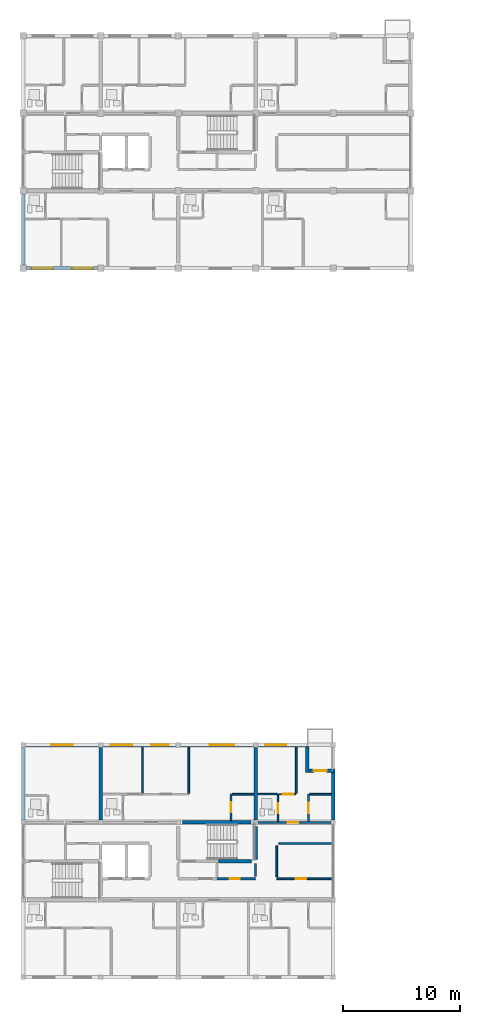
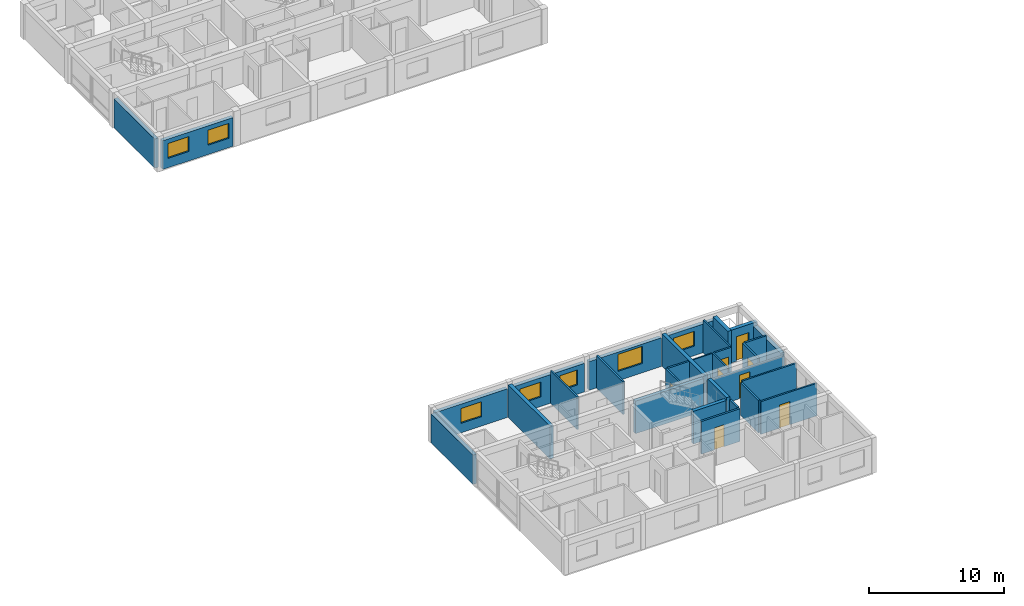
# One storey, part 26 of 45: 31 walls, 8 doors, 7 windows, 15 openings.
"""IFC4 building model written with IfcOpenShell, lengths in metres."""

import ifcopenshell
import ifcopenshell.guid

model = None  # the IFC model being written
_history = None  # IfcOwnerHistory: only IFC2X3 demands one
_inside = {}  # id of a spatial element -> (the spatial element, [elements in it])
_under = {}  # id of a project, library or spatial element -> (it, [spatial elements below it])
_declared = {}  # id of a project -> (the project, [libraries it declares])
_typed = {}  # id of a type object -> (the type object, [elements of that type])
_made_of = {}  # id of a material, layer set ... -> (it, [elements and type objects made of it])


def new_model(schema):
    """Start an empty IFC model of exactly this schema.

    Asked for "IFC4X3", IfcOpenShell would pick the latest addendum, in which some entities
    have other attributes; the version numbers below select the first issue.
    IFC2X3 requires an IfcOwnerHistory on every rooted entity: one is made here for all.
    """
    global model, _history
    if schema == "IFC4X3":
        model = ifcopenshell.file(schema_version=(4, 3, 0, 0))
    else:
        model = ifcopenshell.file(schema=schema)
    _inside.clear()
    _under.clear()
    _declared.clear()
    _typed.clear()
    _made_of.clear()
    _history = None
    if model.schema == "IFC2X3":
        org = make("IfcOrganization", Name="unknown")
        user = make(
            "IfcPersonAndOrganization",
            ThePerson=make("IfcPerson", FamilyName="unknown"),
            TheOrganization=org,
        )
        app = make(
            "IfcApplication",
            ApplicationDeveloper=org,
            Version="unknown",
            ApplicationFullName="unknown",
            ApplicationIdentifier="unknown",
        )
        _history = make(
            "IfcOwnerHistory",
            OwningUser=user,
            OwningApplication=app,
            ChangeAction="ADDED",
            CreationDate=0,
        )
    return model


def make(cls, **values):
    """One entity of the class cls with the attributes given. An attribute that is None is left unset."""
    return model.create_entity(
        cls, **{name: value for name, value in values.items() if value is not None}
    )


def rooted(cls, **values):
    """An entity with a GlobalId (a new one), such as an element, a storey or a relation."""
    return make(cls, GlobalId=ifcopenshell.guid.new(), OwnerHistory=_history, **values)


def si_unit(unit_type, name, prefix=None):
    """IfcSIUnit, for example si_unit("LENGTHUNIT", "METRE", prefix="MILLI")."""
    return make("IfcSIUnit", UnitType=unit_type, Prefix=prefix, Name=name)


def assignment(units):
    """IfcUnitAssignment: the units of a project."""
    return None if units is None else make("IfcUnitAssignment", Units=units)


def point(xyz):
    """IfcCartesianPoint."""
    return None if xyz is None else make("IfcCartesianPoint", Coordinates=xyz)


def direction(xyz):
    """IfcDirection."""
    return None if xyz is None else make("IfcDirection", DirectionRatios=xyz)


def frame(location, z_axis=None, x_axis=None):
    """IfcAxis2Placement3D, a coordinate frame: its origin and axes. An axis left out is left unset."""
    return make(
        "IfcAxis2Placement3D",
        Location=point(location),
        Axis=direction(z_axis),
        RefDirection=direction(x_axis),
    )


def frame_2d(location, x_axis=None):
    """IfcAxis2Placement2D, a coordinate frame in the plane: its origin and x axis."""
    return make(
        "IfcAxis2Placement2D", Location=point(location), RefDirection=direction(x_axis)
    )


def origin():
    """The frame at (0, 0, 0) with its axes left unset."""
    return frame((0.0, 0.0, 0.0))


def place(relative_to, where):
    """IfcLocalPlacement: puts the frame where relative to a parent placement (None: the world)."""
    return make(
        "IfcLocalPlacement", PlacementRelTo=relative_to, RelativePlacement=where
    )


def context(
    kind, dimensions, precision=None, world=None, true_north=None, identifier=None
):
    """IfcGeometricRepresentationContext, for example the 3D "Model" context."""
    return make(
        "IfcGeometricRepresentationContext",
        ContextIdentifier=identifier,
        ContextType=kind,
        CoordinateSpaceDimension=dimensions,
        Precision=precision,
        WorldCoordinateSystem=world,
        TrueNorth=true_north,
    )


def subcontext(parent, identifier, kind, view, scale=None):
    """IfcGeometricRepresentationSubContext, for example "Body" below "Model"."""
    return make(
        "IfcGeometricRepresentationSubContext",
        ContextIdentifier=identifier,
        ContextType=kind,
        ParentContext=parent,
        TargetScale=scale,
        TargetView=view,
    )


def project(units=None, contexts=None):
    """IfcProject with its units and contexts."""
    return rooted(
        "IfcProject",
        Name="project",
        RepresentationContexts=contexts,
        UnitsInContext=assignment(units),
    )


def spatial(cls, under=None, at=None, **own):
    """A site, building, storey or space (cls), placed at a placement, below another one or the project."""
    s = rooted(cls, ObjectPlacement=at, **own)
    if under is not None:
        _under.setdefault(under.id(), (under, []))[1].append(s)
    return s


def profile(cls, at=None, kind="AREA", **sizes):
    """A parametric profile (cls). Its sizes go by their IFC names, for example OverallWidth=200.0."""
    return make(cls, ProfileType=kind, Position=at, **sizes)


def rectangle(**sizes):
    """IfcRectangleProfileDef."""
    return profile("IfcRectangleProfileDef", **sizes)


def extrude(swept, where, along, depth):
    """IfcExtrudedAreaSolid: the profile swept, set in the frame where, extruded along a direction by depth."""
    return make(
        "IfcExtrudedAreaSolid",
        SweptArea=swept,
        Position=where,
        ExtrudedDirection=direction(along),
        Depth=depth,
    )


def shape(context_of_items, identifier, shape_type, items):
    """IfcShapeRepresentation: the items that make up one representation, for example the "Body"."""
    return make(
        "IfcShapeRepresentation",
        ContextOfItems=context_of_items,
        RepresentationIdentifier=identifier,
        RepresentationType=shape_type,
        Items=items,
    )


def material(Name=None, Category=None):
    """IfcMaterial."""
    return make("IfcMaterial", Name=Name, Category=Category)


def layer(
    of_material, thickness, ventilated=None, Name=None, Category=None, Priority=None
):
    """IfcMaterialLayer: one layer of a wall or slab, of a material (None: an air gap)."""
    return make(
        "IfcMaterialLayer",
        Material=of_material,
        LayerThickness=thickness,
        IsVentilated=ventilated,
        Name=Name,
        Category=Category,
        Priority=Priority,
    )


def layer_set(layers, Name=None):
    """IfcMaterialLayerSet."""
    return make("IfcMaterialLayerSet", MaterialLayers=layers, LayerSetName=Name)


def made_of(thing, what):
    """Note that an element or type object is made of a material, layer set ...; save() writes the relation."""
    if what is not None:
        _made_of.setdefault(what.id(), (what, []))[1].append(thing)
    return thing


def type_object(cls, material=None, **own):
    """A type object (cls), such as IfcWallType, which elements share."""
    return made_of(rooted(cls, **own), material)


def element(
    cls,
    number,
    at=None,
    inside=None,
    cuts=None,
    type_object=None,
    material=None,
    context=None,
    identifier="Body",
    shape_type=None,
    held_by="IfcProductDefinitionShape",
    body=None,
    shapes=None,
    **own,
):
    """One element of the class cls, such as IfcWall. Its Tag is "e" and its number.

    at: its placement. inside: the storey or other place that contains it. cuts: it is an
    opening in that element (IfcRelVoidsElement). A single representation is given by context,
    identifier, shape_type and body (its items); several are given by shapes. held_by: the class
    of the entity that holds the representations. save() writes the other relations.
    """
    e = rooted(cls, Tag="e%d" % number, ObjectPlacement=at, **own)
    if body is not None:
        shapes = [shape(context, identifier, shape_type, body)]
    if shapes is not None:
        e.Representation = make(held_by, Representations=shapes)
    if inside is not None:
        _inside.setdefault(inside.id(), (inside, []))[1].append(e)
    if cuts is not None:
        rooted(
            "IfcRelVoidsElement", RelatingBuildingElement=cuts, RelatedOpeningElement=e
        )
    if type_object is not None:
        _typed.setdefault(type_object.id(), (type_object, []))[1].append(e)
    return made_of(e, material)


def fill(opening, filler):
    """IfcRelFillsElement: the door or window that sits in an opening."""
    return rooted(
        "IfcRelFillsElement",
        RelatingOpeningElement=opening,
        RelatedBuildingElement=filler,
    )


def aggregate(whole, parts):
    """IfcRelAggregates: a whole, such as a stair, and the parts it consists of."""
    return rooted("IfcRelAggregates", RelatingObject=whole, RelatedObjects=parts)


def save(model, path):
    """Write the relations noted so far, then the file.

    IfcRelAggregates (storeys below a building ...), IfcRelContainedInSpatialStructure (elements
    in a storey), IfcRelDefinesByType, IfcRelAssociatesMaterial and IfcRelDeclares: one each for
    every whole, place, type object, material and project.
    """
    for whole, parts in _under.values():
        aggregate(whole, parts)
    for where, things in _inside.values():
        rooted(
            "IfcRelContainedInSpatialStructure",
            RelatedElements=things,
            RelatingStructure=where,
        )
    for kind, things in _typed.values():
        rooted("IfcRelDefinesByType", RelatedObjects=things, RelatingType=kind)
    for what, things in _made_of.values():
        rooted("IfcRelAssociatesMaterial", RelatedObjects=things, RelatingMaterial=what)
    for by, libraries in _declared.values():
        rooted("IfcRelDeclares", RelatingContext=by, RelatedDefinitions=libraries)
    model.write(path)


model = new_model("IFC4")

# Units and contexts
model_context = context("Model", 3, precision=1e-05, world=origin(), true_north=direction((0.0, 1.0)))
body_context = subcontext(model_context, "Body", "Model", "MODEL_VIEW")
ifc_project = project(units=[si_unit("LENGTHUNIT", "METRE"), si_unit("AREAUNIT", "SQUARE_METRE"), si_unit("VOLUMEUNIT", "CUBIC_METRE"), si_unit("PLANEANGLEUNIT", "RADIAN"), si_unit("MASSUNIT", "GRAM", prefix="KILO")], contexts=[model_context])

# Site, building, storey
site_placement = place(None, origin())
site = spatial("IfcSite", under=ifc_project, at=site_placement, CompositionType="ELEMENT")
building_placement = place(site_placement, origin())
building = spatial("IfcBuilding", under=site, at=building_placement, Name="Kernevlak Ridge Housing Community", CompositionType="ELEMENT")
storey_placement = place(building_placement, frame((0.0, 0.0, 21.199951171875)))
storey = spatial("IfcBuildingStorey", under=building, at=storey_placement, Name="L06", CompositionType="ELEMENT", Elevation=21.199951171875)

# Wall, openings, windows
ifc_material_1 = material(Name="Concrete block masonry M10", Category="masonry")
ifc_layer_1 = layer(ifc_material_1, 0.320068359375, Name="Concrete block masonry M10")
ifc_layer_set_1 = layer_set([ifc_layer_1], Name="Concrete block masonry M10")
wall_type_1 = type_object("IfcWallType", Name="EW-02", PredefinedType="STANDARD", material=ifc_layer_set_1)
wall_1_placement = place(storey_placement, frame((15.875, 76.0, 0.0), z_axis=(0.0, 0.0, 1.0), x_axis=(1.0, 0.0, 0.0)))
wall_1 = element("IfcWall", 1, at=wall_1_placement, inside=storey, type_object=wall_type_1, Name="Exterior wall EW-02 L06 93", PredefinedType="STANDARD", context=body_context, shape_type="SweptSolid", body=[
    extrude(rectangle(XDim=6.050048828125, YDim=0.320068359375, at=frame_2d((3.02490234375, 0.0))), origin(), (0.0, 0.0, 1.0), 2.60009765625),
])
opening_1_placement = place(wall_1_placement, frame((0.449951171875, 0.0, 0.85009765625)))
opening_1 = element("IfcOpeningElement", 2, at=opening_1_placement, cuts=wall_1, Name="Opening WT-03", PredefinedType="OPENING", context=body_context, shape_type="SweptSolid", body=[
    extrude(rectangle(XDim=1.800048828125, YDim=1.35009765625, at=frame_2d((0.89990234375, 0.675048828125))), frame((0.0, 0.169921875, 0.0), z_axis=(0.0, -1.0, 0.0), x_axis=(1.0, 0.0, 0.0)), (0.0, 0.0, 1.0), 0.340087890625),
])
opening_2_placement = place(wall_1_placement, frame((3.875, 0.0, 0.85009765625)))
opening_2 = element("IfcOpeningElement", 3, at=opening_2_placement, cuts=wall_1, Name="Opening WT-03", PredefinedType="OPENING", context=body_context, shape_type="SweptSolid", body=[
    extrude(rectangle(XDim=1.800048828125, YDim=1.35009765625, at=frame_2d((0.89990234375, 0.675048828125))), frame((0.0, 0.169921875, 0.0), z_axis=(0.0, -1.0, 0.0), x_axis=(1.0, 0.0, 0.0)), (0.0, 0.0, 1.0), 0.340087890625),
])
ifc_material_2 = material(Name="Aluminium EN AW-6060 anodised and laminated glass", Category="aluminium")
window_type_1 = type_object("IfcWindowType", Name="WT-03", PartitioningType="SINGLE_PANEL", PredefinedType="WINDOW", material=ifc_material_2)
window_1_placement = place(opening_1_placement, origin())
window_1 = element("IfcWindow", 4, at=window_1_placement, inside=storey, type_object=window_type_1, Name="Window WT-03 L06 70", OverallHeight=1.35009765625, OverallWidth=1.800048828125, PartitioningType="SINGLE_PANEL", PredefinedType="WINDOW", context=body_context, shape_type="SweptSolid", body=[
    extrude(rectangle(XDim=1.800048828125, YDim=1.35009765625, at=frame_2d((0.89990234375, 0.675048828125))), frame((0.0, 0.030029296875, 0.0), z_axis=(0.0, -1.0, 0.0), x_axis=(1.0, 0.0, 0.0)), (0.0, 0.0, 1.0), 0.06005859375),
])
fill(opening_1, window_1)
window_2_placement = place(opening_2_placement, origin())
window_2 = element("IfcWindow", 5, at=window_2_placement, inside=storey, type_object=window_type_1, Name="Window WT-03 L06 71", OverallHeight=1.35009765625, OverallWidth=1.800048828125, PartitioningType="SINGLE_PANEL", PredefinedType="WINDOW", context=body_context, shape_type="SweptSolid", body=[
    extrude(rectangle(XDim=1.800048828125, YDim=1.35009765625, at=frame_2d((0.89990234375, 0.675048828125))), frame((0.0, 0.030029296875, 0.0), z_axis=(0.0, -1.0, 0.0), x_axis=(1.0, 0.0, 0.0)), (0.0, 0.0, 1.0), 0.06005859375),
])
fill(opening_2, window_2)

# Wall
wall_2_placement = place(storey_placement, frame((15.60009765625, 76.27490234375, 0.0), z_axis=(0.0, 0.0, 1.0), x_axis=(0.0, 1.0, 0.0)))
element("IfcWall", 6, at=wall_2_placement, inside=storey, type_object=wall_type_1, Name="Exterior wall EW-02 L06 105", PredefinedType="STANDARD", context=body_context, shape_type="SweptSolid", body=[
    extrude(rectangle(XDim=6.050048828125, YDim=0.320068359375, at=frame_2d((3.02490234375, 0.0))), origin(), (0.0, 0.0, 1.0), 2.650146484375),
])

# Wall, opening, window
wall_3_placement = place(storey_placement, frame((15.800048828125, 35.39990234375, 0.0), z_axis=(0.0, 0.0, 1.0), x_axis=(1.0, 0.0, 0.0)))
wall_3 = element("IfcWall", 7, at=wall_3_placement, inside=storey, type_object=wall_type_1, Name="Exterior wall EW-02 L06 799", PredefinedType="STANDARD", context=body_context, shape_type="SweptSolid", body=[
    extrude(rectangle(XDim=6.199951171875, YDim=0.320068359375, at=frame_2d((3.10009765625, 0.0))), origin(), (0.0, 0.0, 1.0), 2.60009765625),
])
opening_3_placement = place(wall_3_placement, frame((2.199951171875, 0.0, 0.85009765625)))
opening_3 = element("IfcOpeningElement", 8, at=opening_3_placement, cuts=wall_3, Name="Opening WT-03", PredefinedType="OPENING", context=body_context, shape_type="SweptSolid", body=[
    extrude(rectangle(XDim=1.800048828125, YDim=1.35009765625, at=frame_2d((0.89990234375, 0.675048828125))), frame((0.0, 0.169921875, 0.0), z_axis=(0.0, -1.0, 0.0), x_axis=(1.0, 0.0, 0.0)), (0.0, 0.0, 1.0), 0.340087890625),
])
window_3_placement = place(opening_3_placement, origin())
window_3 = element("IfcWindow", 9, at=window_3_placement, inside=storey, type_object=window_type_1, Name="Window WT-03 L06 667", OverallHeight=1.35009765625, OverallWidth=1.800048828125, PartitioningType="SINGLE_PANEL", PredefinedType="WINDOW", context=body_context, shape_type="SweptSolid", body=[
    extrude(rectangle(XDim=1.800048828125, YDim=1.35009765625, at=frame_2d((0.89990234375, 0.675048828125))), frame((0.0, 0.030029296875, 0.0), z_axis=(0.0, -1.0, 0.0), x_axis=(1.0, 0.0, 0.0)), (0.0, 0.0, 1.0), 0.06005859375),
])
fill(opening_3, window_3)

# Wall, openings, windows
wall_4_placement = place(storey_placement, frame((22.39990234375, 35.39990234375, 0.0), z_axis=(0.0, 0.0, 1.0), x_axis=(1.0, 0.0, 0.0)))
wall_4 = element("IfcWall", 10, at=wall_4_placement, inside=storey, type_object=wall_type_1, Name="Exterior wall EW-02 L06 800", PredefinedType="STANDARD", context=body_context, shape_type="SweptSolid", body=[
    extrude(rectangle(XDim=6.2001953125, YDim=0.320068359375, at=frame_2d((3.10009765625, 0.0))), origin(), (0.0, 0.0, 1.0), 2.60009765625),
])
opening_4_placement = place(wall_4_placement, frame((0.675048828125, 0.0, 0.85009765625)))
opening_4 = element("IfcOpeningElement", 11, at=opening_4_placement, cuts=wall_4, Name="Opening WT-03", PredefinedType="OPENING", context=body_context, shape_type="SweptSolid", body=[
    extrude(rectangle(XDim=1.800048828125, YDim=1.35009765625, at=frame_2d((0.89990234375, 0.675048828125))), frame((0.0, 0.169921875, 0.0), z_axis=(0.0, -1.0, 0.0), x_axis=(1.0, 0.0, 0.0)), (0.0, 0.0, 1.0), 0.340087890625),
])
opening_5_placement = place(wall_4_placement, frame((4.10009765625, 0.0, 0.85009765625)))
opening_5 = element("IfcOpeningElement", 12, at=opening_5_placement, cuts=wall_4, Name="Opening WT-02", PredefinedType="OPENING", context=body_context, shape_type="SweptSolid", body=[
    extrude(rectangle(XDim=1.5, YDim=1.35009765625, at=frame_2d((0.75, 0.675048828125))), frame((0.0, 0.169921875, 0.0), z_axis=(0.0, -1.0, 0.0), x_axis=(1.0, 0.0, 0.0)), (0.0, 0.0, 1.0), 0.340087890625),
])
window_type_2 = type_object("IfcWindowType", Name="WT-02", PartitioningType="SINGLE_PANEL", PredefinedType="WINDOW", material=ifc_material_2)
window_4_placement = place(opening_5_placement, origin())
window_4 = element("IfcWindow", 13, at=window_4_placement, inside=storey, type_object=window_type_2, Name="Window WT-02 L06 669", OverallHeight=1.35009765625, OverallWidth=1.5, PartitioningType="SINGLE_PANEL", PredefinedType="WINDOW", context=body_context, shape_type="SweptSolid", body=[
    extrude(rectangle(XDim=1.5, YDim=1.35009765625, at=frame_2d((0.75, 0.675048828125))), frame((0.0, 0.030029296875, 0.0), z_axis=(0.0, -1.0, 0.0), x_axis=(1.0, 0.0, 0.0)), (0.0, 0.0, 1.0), 0.06005859375),
])
fill(opening_5, window_4)
window_5_placement = place(opening_4_placement, origin())
window_5 = element("IfcWindow", 14, at=window_5_placement, inside=storey, type_object=window_type_1, Name="Window WT-03 L06 668", OverallHeight=1.35009765625, OverallWidth=1.800048828125, PartitioningType="SINGLE_PANEL", PredefinedType="WINDOW", context=body_context, shape_type="SweptSolid", body=[
    extrude(rectangle(XDim=1.800048828125, YDim=1.35009765625, at=frame_2d((0.89990234375, 0.675048828125))), frame((0.0, 0.030029296875, 0.0), z_axis=(0.0, -1.0, 0.0), x_axis=(1.0, 0.0, 0.0)), (0.0, 0.0, 1.0), 0.06005859375),
])
fill(opening_4, window_5)

# Wall, opening, window
wall_5_placement = place(storey_placement, frame((29.0, 35.39990234375, 0.0), z_axis=(0.0, 0.0, 1.0), x_axis=(1.0, 0.0, 0.0)))
wall_5 = element("IfcWall", 15, at=wall_5_placement, inside=storey, type_object=wall_type_1, Name="Exterior wall EW-02 L06 801", PredefinedType="STANDARD", context=body_context, shape_type="SweptSolid", body=[
    extrude(rectangle(XDim=6.199951171875, YDim=0.320068359375, at=frame_2d((3.10009765625, 0.0))), origin(), (0.0, 0.0, 1.0), 2.60009765625),
])
opening_6_placement = place(wall_5_placement, frame((2.49609375, 0.0, 0.85009765625)))
opening_6 = element("IfcOpeningElement", 16, at=opening_6_placement, cuts=wall_5, Name="Opening WT-05", PredefinedType="OPENING", context=body_context, shape_type="SweptSolid", body=[
    extrude(rectangle(XDim=2.10009765625, YDim=1.550048828125, at=frame_2d((1.050048828125, 0.77490234375))), frame((0.0, 0.169921875, 0.0), z_axis=(0.0, -1.0, 0.0), x_axis=(1.0, 0.0, 0.0)), (0.0, 0.0, 1.0), 0.340087890625),
])
window_type_3 = type_object("IfcWindowType", Name="WT-05", PartitioningType="SINGLE_PANEL", PredefinedType="WINDOW", material=ifc_material_2)
window_6_placement = place(opening_6_placement, origin())
window_6 = element("IfcWindow", 17, at=window_6_placement, inside=storey, type_object=window_type_3, Name="Window WT-05 L06 670", OverallHeight=1.550048828125, OverallWidth=2.10009765625, PartitioningType="SINGLE_PANEL", PredefinedType="WINDOW", context=body_context, shape_type="SweptSolid", body=[
    extrude(rectangle(XDim=2.10009765625, YDim=1.550048828125, at=frame_2d((1.050048828125, 0.77490234375))), frame((0.0, 0.030029296875, 0.0), z_axis=(0.0, -1.0, 0.0), x_axis=(1.0, 0.0, 0.0)), (0.0, 0.0, 1.0), 0.06005859375),
])
fill(opening_6, window_6)

wall_6_placement = place(storey_placement, frame((35.60009765625, 35.39990234375, 0.0), z_axis=(0.0, 0.0, 1.0), x_axis=(1.0, 0.0, 0.0)))
wall_6 = element("IfcWall", 18, at=wall_6_placement, inside=storey, type_object=wall_type_1, Name="Exterior wall EW-02 L06 802", PredefinedType="STANDARD", context=body_context, shape_type="SweptSolid", body=[
    extrude(rectangle(XDim=4.35986328125, YDim=0.320068359375, at=frame_2d((2.179931640625, 0.0))), origin(), (0.0, 0.0, 1.0), 2.60009765625),
])
opening_7_placement = place(wall_6_placement, frame((0.625, 0.0, 0.85009765625)))
opening_7 = element("IfcOpeningElement", 19, at=opening_7_placement, cuts=wall_6, Name="Opening WT-03", PredefinedType="OPENING", context=body_context, shape_type="SweptSolid", body=[
    extrude(rectangle(XDim=1.800048828125, YDim=1.35009765625, at=frame_2d((0.89990234375, 0.675048828125))), frame((0.0, 0.169921875, 0.0), z_axis=(0.0, -1.0, 0.0), x_axis=(1.0, 0.0, 0.0)), (0.0, 0.0, 1.0), 0.340087890625),
])
window_7_placement = place(opening_7_placement, origin())
window_7 = element("IfcWindow", 20, at=window_7_placement, inside=storey, type_object=window_type_1, Name="Window WT-03 L06 671", OverallHeight=1.35009765625, OverallWidth=1.800048828125, PartitioningType="SINGLE_PANEL", PredefinedType="WINDOW", context=body_context, shape_type="SweptSolid", body=[
    extrude(rectangle(XDim=1.800048828125, YDim=1.35009765625, at=frame_2d((0.89990234375, 0.675048828125))), frame((0.0, 0.030029296875, 0.0), z_axis=(0.0, -1.0, 0.0), x_axis=(1.0, 0.0, 0.0)), (0.0, 0.0, 1.0), 0.06005859375),
])
fill(opening_7, window_7)

# Wall
wall_7_placement = place(storey_placement, frame((39.800048828125, 35.239990234375, 0.0), z_axis=(0.0, 0.0, 1.0), x_axis=(0.0, -1.0, 0.0)))
element("IfcWall", 21, at=wall_7_placement, inside=storey, type_object=wall_type_1, Name="Exterior wall EW-02 L06 803", PredefinedType="STANDARD", context=body_context, shape_type="SweptSolid", body=[
    extrude(rectangle(XDim=2.199951171875, YDim=0.320068359375, at=frame_2d((1.10009765625, 0.0))), origin(), (0.0, 0.0, 1.0), 2.9599609375),
])

# Wall, opening, door
wall_8_placement = place(storey_placement, frame((39.9599609375, 33.199951171875, 0.0), z_axis=(0.0, 0.0, 1.0), x_axis=(1.0, 0.0, 0.0)))
wall_8 = element("IfcWall", 22, at=wall_8_placement, inside=storey, type_object=wall_type_1, Name="Exterior wall EW-02 L06 804", PredefinedType="STANDARD", context=body_context, shape_type="SweptSolid", body=[
    extrude(rectangle(XDim=2.199951171875, YDim=0.320068359375, at=frame_2d((1.10009765625, 0.0))), origin(), (0.0, 0.0, 1.0), 2.9599609375),
])
opening_8_placement = place(wall_8_placement, frame((0.39990234375, 0.0, 0.0)))
opening_8 = element("IfcOpeningElement", 23, at=opening_8_placement, cuts=wall_8, Name="Opening E704", PredefinedType="OPENING", context=body_context, shape_type="SweptSolid", body=[
    extrude(rectangle(XDim=1.080078125, YDim=2.219970703125, at=frame_2d((0.5400390625, 1.10986328125))), frame((0.0, 0.169921875, 0.0), z_axis=(0.0, -1.0, 0.0), x_axis=(1.0, 0.0, 0.0)), (0.0, 0.0, 1.0), 0.340087890625),
])
ifc_material_3 = material(Name="Aluminium EN AW-6060 and laminated safety glass", Category="aluminium")
door_type_1 = type_object("IfcDoorType", Name="DT-34", OperationType="NOTDEFINED", PredefinedType="DOOR", material=ifc_material_3)
door_1_placement = place(opening_8_placement, origin())
door_1 = element("IfcDoor", 24, at=door_1_placement, inside=storey, type_object=door_type_1, Name="Flat D0623 corner balcony glazed door E704", OperationType="SINGLE_SWING_LEFT", OverallHeight=2.219970703125, OverallWidth=1.080078125, PredefinedType="DOOR", context=body_context, shape_type="SweptSolid", body=[
    extrude(rectangle(XDim=1.080078125, YDim=2.219970703125, at=frame_2d((0.5400390625, 1.10986328125))), frame((0.0, 0.02490234375, 0.0), z_axis=(0.0, -1.0, 0.0), x_axis=(1.0, 0.0, 0.0)), (0.0, 0.0, 1.0), 0.050048828125),
])
fill(opening_8, door_1)

# Walls
wall_9_placement = place(storey_placement, frame((15.60009765625, 29.0, 0.0), z_axis=(0.0, 0.0, 1.0), x_axis=(0.0, 1.0, 0.0)))
element("IfcWall", 25, at=wall_9_placement, inside=storey, type_object=wall_type_1, Name="Exterior wall EW-02 L06 806", PredefinedType="STANDARD", context=body_context, shape_type="SweptSolid", body=[
    extrude(rectangle(XDim=6.199951171875, YDim=0.320068359375, at=frame_2d((3.10009765625, 0.0))), origin(), (0.0, 0.0, 1.0), 2.650146484375),
])
wall_10_placement = place(storey_placement, frame((42.0, 29.0, 0.0), z_axis=(0.0, 0.0, 1.0), x_axis=(0.0, 1.0, 0.0)))
element("IfcWall", 26, at=wall_10_placement, inside=storey, type_object=wall_type_1, Name="Exterior wall EW-02 L06 808", PredefinedType="STANDARD", context=body_context, shape_type="SweptSolid", body=[
    extrude(rectangle(XDim=4.0400390625, YDim=0.320068359375, at=frame_2d((2.02001953125, 0.0))), origin(), (0.0, 0.0, 1.0), 2.650146484375),
])

# Wall, opening, door
ifc_layer_2 = layer(ifc_material_1, 0.175048828125, Name="Concrete block masonry M10")
ifc_layer_set_2 = layer_set([ifc_layer_2], Name="Concrete block masonry M10")
wall_type_2 = type_object("IfcWallType", Name="PW-02", PredefinedType="PARTITIONING", material=ifc_layer_set_2)
wall_11_placement = place(storey_placement, frame((32.10009765625, 24.0, 0.0), z_axis=(0.0, 0.0, 1.0), x_axis=(1.0, 0.0, 0.0)))
wall_11 = element("IfcWall", 27, at=wall_11_placement, inside=storey, type_object=wall_type_2, Name="Interior wall PW-02 WAL-INT-L06-3313", PredefinedType="PARTITIONING", context=body_context, shape_type="SweptSolid", body=[
    extrude(rectangle(XDim=3.2998046875, YDim=0.175048828125, at=frame_2d((1.64990234375, 0.0))), origin(), (0.0, 0.0, 1.0), 2.9599609375),
])
opening_9_placement = place(wall_11_placement, frame((1.10009765625, 0.0, 0.0)))
opening_9 = element("IfcOpeningElement", 28, at=opening_9_placement, cuts=wall_11, Name="Opening E680", PredefinedType="OPENING", context=body_context, shape_type="SweptSolid", body=[
    extrude(rectangle(XDim=0.85009765625, YDim=2.0, at=frame_2d((0.425048828125, 1.0))), frame((0.0, 0.097412109375, 0.0), z_axis=(0.0, -1.0, 0.0), x_axis=(1.0, 0.0, 0.0)), (0.0, 0.0, 1.0), 0.195068359375),
])
ifc_material_4 = material(Name="Fire-rated sheet steel leaf", Category="steel")
door_type_2 = type_object("IfcDoorType", Name="DT-07", OperationType="NOTDEFINED", PredefinedType="DOOR", material=ifc_material_4)
door_2_placement = place(opening_9_placement, origin())
door_2 = element("IfcDoor", 29, at=door_2_placement, inside=storey, type_object=door_type_2, Name="Block D Cleaner store door E680", OperationType="SINGLE_SWING_LEFT", OverallHeight=2.0, OverallWidth=0.85009765625, PredefinedType="DOOR", context=body_context, shape_type="SweptSolid", body=[
    extrude(rectangle(XDim=0.85009765625, YDim=2.0, at=frame_2d((0.425048828125, 1.0))), frame((0.0, 0.02490234375, 0.0), z_axis=(0.0, -1.0, 0.0), x_axis=(1.0, 0.0, 0.0)), (0.0, 0.0, 1.0), 0.050048828125),
])
fill(opening_9, door_2)

# Wall
wall_12_placement = place(storey_placement, frame((35.39990234375, 24.179931640625, 0.0), z_axis=(0.0, 0.0, 1.0), x_axis=(0.0, 1.0, 0.0)))
element("IfcWall", 30, at=wall_12_placement, inside=storey, type_object=wall_type_2, Name="Interior wall PW-02 WAL-INT-L06-3316", PredefinedType="PARTITIONING", context=body_context, shape_type="SweptSolid", body=[
    extrude(rectangle(XDim=1.14013671875, YDim=0.175048828125, at=frame_2d((0.570068359375, 0.0))), origin(), (0.0, 0.0, 1.0), 2.9599609375),
])

# Wall, opening, door
wall_13_placement = place(storey_placement, frame((35.39990234375, 28.800048828125, 0.0), z_axis=(0.0, 0.0, 1.0), x_axis=(1.0, 0.0, 0.0)))
wall_13 = element("IfcWall", 31, at=wall_13_placement, inside=storey, type_object=wall_type_2, Name="Interior wall PW-02 WAL-INT-L06-3353", PredefinedType="PARTITIONING", context=body_context, shape_type="SweptSolid", body=[
    extrude(rectangle(XDim=6.60009765625, YDim=0.175048828125, at=frame_2d((3.300048828125, 0.0))), origin(), (0.0, 0.0, 1.0), 2.550048828125),
])
opening_10_placement = place(wall_13_placement, frame((2.72509765625, 0.0, 0.0)))
opening_10 = element("IfcOpeningElement", 32, at=opening_10_placement, cuts=wall_13, Name="Opening E700", PredefinedType="OPENING", context=body_context, shape_type="SweptSolid", body=[
    extrude(rectangle(XDim=0.919921875, YDim=2.139892578125, at=frame_2d((0.4599609375, 1.06982421875))), frame((0.0, 0.097412109375, 0.0), z_axis=(0.0, -1.0, 0.0), x_axis=(1.0, 0.0, 0.0)), (0.0, 0.0, 1.0), 0.195068359375),
])
ifc_material_5 = material(Name="Hardwood timber solid-core fire leaf", Category="wood")
door_type_3 = type_object("IfcDoorType", Name="DT-20", OperationType="NOTDEFINED", PredefinedType="DOOR", material=ifc_material_5)
door_3_placement = place(opening_10_placement, origin())
door_3 = element("IfcDoor", 33, at=door_3_placement, inside=storey, type_object=door_type_3, Name="Flat D0623 entrance fire door E700", OperationType="SINGLE_SWING_LEFT", OverallHeight=2.139892578125, OverallWidth=0.919921875, PredefinedType="DOOR", context=body_context, shape_type="SweptSolid", body=[
    extrude(rectangle(XDim=0.919921875, YDim=2.139892578125, at=frame_2d((0.4599609375, 1.06982421875))), frame((0.0, 0.02490234375, 0.0), z_axis=(0.0, -1.0, 0.0), x_axis=(1.0, 0.0, 0.0)), (0.0, 0.0, 1.0), 0.050048828125),
])
fill(opening_10, door_3)

ifc_layer_3 = layer(ifc_material_1, 0.14501953125, Name="Concrete block masonry M10")
ifc_layer_set_3 = layer_set([ifc_layer_3], Name="Concrete block masonry M10")
wall_type_3 = type_object("IfcWallType", Name="PW-03", PredefinedType="PARTITIONING", material=ifc_layer_set_3)
wall_14_placement = place(storey_placement, frame((37.199951171875, 24.0, 0.0), z_axis=(0.0, 0.0, 1.0), x_axis=(1.0, 0.0, 0.0)))
wall_14 = element("IfcWall", 34, at=wall_14_placement, inside=storey, type_object=wall_type_3, Name="Interior wall PW-03 WAL-INT-L06-3317", PredefinedType="PARTITIONING", context=body_context, shape_type="SweptSolid", body=[
    extrude(rectangle(XDim=4.800048828125, YDim=0.14501953125, at=frame_2d((2.39990234375, 0.0))), origin(), (0.0, 0.0, 1.0), 2.9599609375),
])
opening_11_placement = place(wall_14_placement, frame((1.60009765625, 0.0, 0.0)))
opening_11 = element("IfcOpeningElement", 35, at=opening_11_placement, cuts=wall_14, Name="Opening E681", PredefinedType="OPENING", context=body_context, shape_type="SweptSolid", body=[
    extrude(rectangle(XDim=0.89990234375, YDim=2.10009765625, at=frame_2d((0.449951171875, 1.050048828125))), frame((0.0, 0.08251953125, 0.0), z_axis=(0.0, -1.0, 0.0), x_axis=(1.0, 0.0, 0.0)), (0.0, 0.0, 1.0), 0.1650390625),
])
ifc_material_6 = material(Name="Hardwood timber leaf", Category="wood")
door_type_4 = type_object("IfcDoorType", Name="DT-21", OperationType="NOTDEFINED", PredefinedType="DOOR", material=ifc_material_6)
door_4_placement = place(opening_11_placement, origin())
door_4 = element("IfcDoor", 36, at=door_4_placement, inside=storey, type_object=door_type_4, Name="Block D Laundry room door E681", OperationType="SINGLE_SWING_RIGHT", OverallHeight=2.10009765625, OverallWidth=0.89990234375, PredefinedType="DOOR", context=body_context, shape_type="SweptSolid", body=[
    extrude(rectangle(XDim=0.89990234375, YDim=2.10009765625, at=frame_2d((0.449951171875, 1.050048828125))), frame((0.0, 0.02490234375, 0.0), z_axis=(0.0, -1.0, 0.0), x_axis=(1.0, 0.0, 0.0)), (0.0, 0.0, 1.0), 0.050048828125),
])
fill(opening_11, door_4)

# Walls
wall_15_placement = place(storey_placement, frame((37.3798828125, 27.0, 0.0), z_axis=(0.0, 0.0, 1.0), x_axis=(1.0, 0.0, 0.0)))
element("IfcWall", 37, at=wall_15_placement, inside=storey, type_object=wall_type_3, Name="Interior wall PW-03 WAL-INT-L06-3318", PredefinedType="PARTITIONING", context=body_context, shape_type="SweptSolid", body=[
    extrude(rectangle(XDim=4.60009765625, YDim=0.14501953125, at=frame_2d((2.300048828125, 0.0))), origin(), (0.0, 0.0, 1.0), 2.9599609375),
])
wall_16_placement = place(storey_placement, frame((37.199951171875, 24.179931640625, 0.0), z_axis=(0.0, 0.0, 1.0), x_axis=(0.0, 1.0, 0.0)))
element("IfcWall", 38, at=wall_16_placement, inside=storey, type_object=wall_type_3, Name="Interior wall PW-03 WAL-INT-L06-3319", PredefinedType="PARTITIONING", context=body_context, shape_type="SweptSolid", body=[
    extrude(rectangle(XDim=2.64013671875, YDim=0.14501953125, at=frame_2d((1.320068359375, 0.0))), origin(), (0.0, 0.0, 1.0), 2.9599609375),
])
wall_17_placement = place(storey_placement, frame((25.75, 31.282470703125, 0.0), z_axis=(0.0, 0.0, 1.0), x_axis=(0.0, 1.0, 0.0)))
element("IfcWall", 39, at=wall_17_placement, inside=storey, type_object=wall_type_3, Name="Interior wall PW-03 WAL-INT-L06-3350", PredefinedType="PARTITIONING", context=body_context, shape_type="SweptSolid", body=[
    extrude(rectangle(XDim=3.947509765625, YDim=0.14501953125, at=frame_2d((1.9736328125, 0.0))), origin(), (0.0, 0.0, 1.0), 2.9599609375),
])
wall_18_placement = place(storey_placement, frame((29.69189453125, 31.280029296875, 0.0), z_axis=(0.0, 0.0, 1.0), x_axis=(0.0, 1.0, 0.0)))
element("IfcWall", 40, at=wall_18_placement, inside=storey, type_object=wall_type_3, Name="Interior wall PW-03 WAL-INT-L06-3352", PredefinedType="PARTITIONING", context=body_context, shape_type="SweptSolid", body=[
    extrude(rectangle(XDim=3.949951171875, YDim=0.14501953125, at=frame_2d((1.97509765625, 0.0))), origin(), (0.0, 0.0, 1.0), 2.9599609375),
])

# Wall, opening, door
wall_19_placement = place(storey_placement, frame((37.37255859375, 31.199951171875, 0.0), z_axis=(0.0, 0.0, 1.0), x_axis=(1.0, 0.0, 0.0)))
wall_19 = element("IfcWall", 41, at=wall_19_placement, inside=storey, type_object=wall_type_3, Name="Interior wall PW-03 WAL-INT-L06-3358", PredefinedType="PARTITIONING", context=body_context, shape_type="SweptSolid", body=[
    extrude(rectangle(XDim=1.4775390625, YDim=0.14501953125, at=frame_2d((0.73876953125, 0.0))), origin(), (0.0, 0.0, 1.0), 2.9599609375),
])
opening_12_placement = place(wall_19_placement, frame((0.35009765625, 0.0, 0.0)))
opening_12 = element("IfcOpeningElement", 42, at=opening_12_placement, cuts=wall_19, Name="Opening E703", PredefinedType="OPENING", context=body_context, shape_type="SweptSolid", body=[
    extrude(rectangle(XDim=0.8798828125, YDim=2.159912109375, at=frame_2d((0.43994140625, 1.080078125))), frame((0.0, 0.08251953125, 0.0), z_axis=(0.0, -1.0, 0.0), x_axis=(1.0, 0.0, 0.0)), (0.0, 0.0, 1.0), 0.1650390625),
])
door_type_5 = type_object("IfcDoorType", Name="DT-26", OperationType="NOTDEFINED", PredefinedType="DOOR", material=ifc_material_6)
door_5_placement = place(opening_12_placement, origin())
door_5 = element("IfcDoor", 43, at=door_5_placement, inside=storey, type_object=door_type_5, Name="Flat D0623 bedroom door E703", OperationType="SINGLE_SWING_RIGHT", OverallHeight=2.159912109375, OverallWidth=0.8798828125, PredefinedType="DOOR", context=body_context, shape_type="SweptSolid", body=[
    extrude(rectangle(XDim=0.8798828125, YDim=2.159912109375, at=frame_2d((0.43994140625, 1.080078125))), frame((0.0, 0.02490234375, 0.0), z_axis=(0.0, -1.0, 0.0), x_axis=(1.0, 0.0, 0.0)), (0.0, 0.0, 1.0), 0.050048828125),
])
fill(opening_12, door_5)

# Wall
wall_20_placement = place(storey_placement, frame((38.85009765625, 31.282470703125, 0.0), z_axis=(0.0, 0.0, 1.0), x_axis=(0.0, 1.0, 0.0)))
element("IfcWall", 44, at=wall_20_placement, inside=storey, type_object=wall_type_3, Name="Interior wall PW-03 WAL-INT-L06-3359", PredefinedType="PARTITIONING", context=body_context, shape_type="SweptSolid", body=[
    extrude(rectangle(XDim=3.947509765625, YDim=0.14501953125, at=frame_2d((1.9736328125, 0.0))), origin(), (0.0, 0.0, 1.0), 2.9599609375),
])

# Wall, opening, door
ifc_material_7 = material(Name="Gypsum plasterboard EN 520", Category="gypsum")
ifc_layer_4 = layer(ifc_material_7, 0.125, Name="Gypsum plasterboard EN 520")
ifc_layer_set_4 = layer_set([ifc_layer_4], Name="Gypsum plasterboard EN 520")
wall_type_4 = type_object("IfcWallType", Name="PW-04", PredefinedType="PARTITIONING", material=ifc_layer_set_4)
wall_21_placement = place(storey_placement, frame((37.300048828125, 28.8974609375, 0.0), z_axis=(0.0, 0.0, 1.0), x_axis=(0.0, 1.0, 0.0)))
wall_21 = element("IfcWall", 45, at=wall_21_placement, inside=storey, type_object=wall_type_4, Name="Interior wall PW-04 WAL-INT-L06-3354", PredefinedType="PARTITIONING", context=body_context, shape_type="SweptSolid", body=[
    extrude(rectangle(XDim=2.302490234375, YDim=0.125, at=frame_2d((1.1513671875, 0.0))), origin(), (0.0, 0.0, 1.0), 2.9599609375),
])
opening_13_placement = place(wall_21_placement, frame((0.699951171875, 0.0, 0.0)))
opening_13 = element("IfcOpeningElement", 46, at=opening_13_placement, cuts=wall_21, Name="Opening E701", PredefinedType="OPENING", context=body_context, shape_type="SweptSolid", body=[
    extrude(rectangle(XDim=0.820068359375, YDim=2.050048828125, at=frame_2d((0.41015625, 1.02490234375))), frame((0.0, 0.072509765625, 0.0), z_axis=(0.0, -1.0, 0.0), x_axis=(1.0, 0.0, 0.0)), (0.0, 0.0, 1.0), 0.14501953125),
])
ifc_material_8 = material(Name="Hardwood timber moisture-resistant leaf", Category="wood")
door_type_6 = type_object("IfcDoorType", Name="DT-30", OperationType="NOTDEFINED", PredefinedType="DOOR", material=ifc_material_8)
door_6_placement = place(opening_13_placement, origin())
door_6 = element("IfcDoor", 47, at=door_6_placement, inside=storey, type_object=door_type_6, Name="Flat D0623 bathroom door E701", OperationType="SINGLE_SWING_RIGHT", OverallHeight=2.050048828125, OverallWidth=0.820068359375, PredefinedType="DOOR", context=body_context, shape_type="SweptSolid", body=[
    extrude(rectangle(XDim=0.820068359375, YDim=2.050048828125, at=frame_2d((0.41015625, 1.02490234375))), frame((0.0, 0.02490234375, 0.0), z_axis=(0.0, -1.0, 0.0), x_axis=(1.0, 0.0, 0.0)), (0.0, 0.0, 1.0), 0.050048828125),
])
fill(opening_13, door_6)

# Wall
wall_22_placement = place(storey_placement, frame((35.56005859375, 31.199951171875, 0.0), z_axis=(0.0, 0.0, 1.0), x_axis=(1.0, 0.0, 0.0)))
element("IfcWall", 48, at=wall_22_placement, inside=storey, type_object=wall_type_4, Name="Interior wall PW-04 WAL-INT-L06-3355", PredefinedType="PARTITIONING", context=body_context, shape_type="SweptSolid", body=[
    extrude(rectangle(XDim=1.659912109375, YDim=0.125, at=frame_2d((0.830078125, 0.0))), origin(), (0.0, 0.0, 1.0), 2.9599609375),
])

# Wall, opening, door
ifc_layer_5 = layer(ifc_material_7, 0.155029296875, Name="Gypsum plasterboard EN 520")
ifc_layer_set_5 = layer_set([ifc_layer_5], Name="Gypsum plasterboard EN 520")
wall_type_5 = type_object("IfcWallType", Name="PW-05", PredefinedType="PARTITIONING", material=ifc_layer_set_5)
wall_23_placement = place(storey_placement, frame((33.300048828125, 28.9599609375, 0.0), z_axis=(0.0, 0.0, 1.0), x_axis=(0.0, 1.0, 0.0)))
wall_23 = element("IfcWall", 49, at=wall_23_placement, inside=storey, type_object=wall_type_5, Name="Interior wall PW-05 WAL-INT-L06-3347", PredefinedType="PARTITIONING", context=body_context, shape_type="SweptSolid", body=[
    extrude(rectangle(XDim=2.239990234375, YDim=0.155029296875, at=frame_2d((1.1201171875, 0.0))), origin(), (0.0, 0.0, 1.0), 2.9599609375),
])
opening_14_placement = place(wall_23_placement, frame((0.699951171875, 0.0, 0.0)))
opening_14 = element("IfcOpeningElement", 50, at=opening_14_placement, cuts=wall_23, Name="Opening E697", PredefinedType="OPENING", context=body_context, shape_type="SweptSolid", body=[
    extrude(rectangle(XDim=0.8701171875, YDim=2.080078125, at=frame_2d((0.43505859375, 1.0400390625))), frame((0.0, 0.08740234375, 0.0), z_axis=(0.0, -1.0, 0.0), x_axis=(1.0, 0.0, 0.0)), (0.0, 0.0, 1.0), 0.175048828125),
])
door_type_7 = type_object("IfcDoorType", Name="DT-32", OperationType="NOTDEFINED", PredefinedType="DOOR", material=ifc_material_6)
door_7_placement = place(opening_14_placement, origin())
door_7 = element("IfcDoor", 51, at=door_7_placement, inside=storey, type_object=door_type_7, Name="Flat D0622 kitchen door E697", OperationType="SINGLE_SWING_RIGHT", OverallHeight=2.080078125, OverallWidth=0.8701171875, PredefinedType="DOOR", context=body_context, shape_type="SweptSolid", body=[
    extrude(rectangle(XDim=0.8701171875, YDim=2.080078125, at=frame_2d((0.43505859375, 1.0400390625))), frame((0.0, 0.02490234375, 0.0), z_axis=(0.0, -1.0, 0.0), x_axis=(1.0, 0.0, 0.0)), (0.0, 0.0, 1.0), 0.050048828125),
])
fill(opening_14, door_7)

# Wall
wall_24_placement = place(storey_placement, frame((33.387451171875, 31.199951171875, 0.0), z_axis=(0.0, 0.0, 1.0), x_axis=(1.0, 0.0, 0.0)))
element("IfcWall", 52, at=wall_24_placement, inside=storey, type_object=wall_type_5, Name="Interior wall PW-05 WAL-INT-L06-3348", PredefinedType="PARTITIONING", context=body_context, shape_type="SweptSolid", body=[
    extrude(rectangle(XDim=1.8525390625, YDim=0.155029296875, at=frame_2d((0.92626953125, 0.0))), origin(), (0.0, 0.0, 1.0), 2.9599609375),
])

# Wall, opening, door
wall_25_placement = place(storey_placement, frame((39.89990234375, 28.8974609375, 0.0), z_axis=(0.0, 0.0, 1.0), x_axis=(0.0, 1.0, 0.0)))
wall_25 = element("IfcWall", 53, at=wall_25_placement, inside=storey, type_object=wall_type_5, Name="Interior wall PW-05 WAL-INT-L06-3356", PredefinedType="PARTITIONING", context=body_context, shape_type="SweptSolid", body=[
    extrude(rectangle(XDim=2.302490234375, YDim=0.155029296875, at=frame_2d((1.1513671875, 0.0))), origin(), (0.0, 0.0, 1.0), 2.9599609375),
])
opening_15_placement = place(wall_25_placement, frame((0.699951171875, 0.0, 0.0)))
opening_15 = element("IfcOpeningElement", 54, at=opening_15_placement, cuts=wall_25, Name="Opening E702", PredefinedType="OPENING", context=body_context, shape_type="SweptSolid", body=[
    extrude(rectangle(XDim=0.8798828125, YDim=2.10009765625, at=frame_2d((0.43994140625, 1.050048828125))), frame((0.0, 0.08740234375, 0.0), z_axis=(0.0, -1.0, 0.0), x_axis=(1.0, 0.0, 0.0)), (0.0, 0.0, 1.0), 0.175048828125),
])
door_type_8 = type_object("IfcDoorType", Name="DT-25", OperationType="NOTDEFINED", PredefinedType="DOOR", material=ifc_material_6)
door_8_placement = place(opening_15_placement, origin())
door_8 = element("IfcDoor", 55, at=door_8_placement, inside=storey, type_object=door_type_8, Name="Flat D0623 kitchen door E702", OperationType="SINGLE_SWING_LEFT", OverallHeight=2.10009765625, OverallWidth=0.8798828125, PredefinedType="DOOR", context=body_context, shape_type="SweptSolid", body=[
    extrude(rectangle(XDim=0.8798828125, YDim=2.10009765625, at=frame_2d((0.43994140625, 1.050048828125))), frame((0.0, 0.02490234375, 0.0), z_axis=(0.0, -1.0, 0.0), x_axis=(1.0, 0.0, 0.0)), (0.0, 0.0, 1.0), 0.050048828125),
])
fill(opening_15, door_8)

# Walls
wall_26_placement = place(storey_placement, frame((39.987548828125, 31.199951171875, 0.0), z_axis=(0.0, 0.0, 1.0), x_axis=(1.0, 0.0, 0.0)))
element("IfcWall", 56, at=wall_26_placement, inside=storey, type_object=wall_type_5, Name="Interior wall PW-05 WAL-INT-L06-3357", PredefinedType="PARTITIONING", context=body_context, shape_type="SweptSolid", body=[
    extrude(rectangle(XDim=1.842529296875, YDim=0.155029296875, at=frame_2d((0.92138671875, 0.0))), origin(), (0.0, 0.0, 1.0), 2.9599609375),
])
ifc_material_9 = material(Name="Concrete C40/50", Category="concrete")
ifc_layer_6 = layer(ifc_material_9, 0.300048828125, Name="Concrete C40/50")
ifc_layer_set_6 = layer_set([ifc_layer_6], Name="Concrete C40/50")
wall_type_6 = type_object("IfcWallType", Name="SW-02", PredefinedType="SHEAR", material=ifc_layer_set_6)
wall_27_placement = place(storey_placement, frame((29.179931640625, 28.800048828125, 0.0), z_axis=(0.0, 0.0, 1.0), x_axis=(1.0, 0.0, 0.0)))
element("IfcWall", 57, at=wall_27_placement, inside=storey, type_object=wall_type_6, Name="Shear wall SW-02 Block D L06 570", PredefinedType="SHEAR", context=body_context, shape_type="SweptSolid", body=[
    extrude(rectangle(XDim=5.840087890625, YDim=0.300048828125, at=frame_2d((2.919921875, 0.0))), origin(), (0.0, 0.0, 1.0), 2.9599609375),
])
for number, where, z_axis, x_axis, name in (
    (58, (32.25, 25.5, 0.0), (0.0, 0.0, 1.0), (1.0, 0.0, 0.0), "Shear wall SW-02 Block D L06 571"),
    (59, (35.39990234375, 25.64990234375, 0.0), (0.0, 0.0, 1.0), (0.0, 1.0, 0.0), "Shear wall SW-02 Block D L06 573"),
):
    element("IfcWall", number, at=place(storey_placement, frame(where, z_axis=z_axis, x_axis=x_axis)), inside=storey, type_object=wall_type_6, Name=name, PredefinedType="SHEAR", context=body_context, shape_type="SweptSolid", body=[
        extrude(rectangle(XDim=2.800048828125, YDim=0.300048828125, at=frame_2d((1.39990234375, 0.0))), origin(), (0.0, 0.0, 1.0), 2.9599609375),
    ])
for number, where, z_axis, x_axis, name in (
    (60, (22.199951171875, 29.0, 0.0), (0.0, 0.0, 1.0), (0.0, 1.0, 0.0), "Shear wall SW-02 Block D L06 575"),
    (61, (35.39990234375, 29.0, 0.0), (0.0, 0.0, 1.0), (0.0, 1.0, 0.0), "Shear wall SW-02 Block D L06 576"),
):
    element("IfcWall", number, at=place(storey_placement, frame(where, z_axis=z_axis, x_axis=x_axis)), inside=storey, type_object=wall_type_6, Name=name, PredefinedType="SHEAR", context=body_context, shape_type="SweptSolid", body=[
        extrude(rectangle(XDim=6.199951171875, YDim=0.300048828125, at=frame_2d((3.10009765625, 0.0))), origin(), (0.0, 0.0, 1.0), 2.9599609375),
    ])

save(model, "model.ifc")
